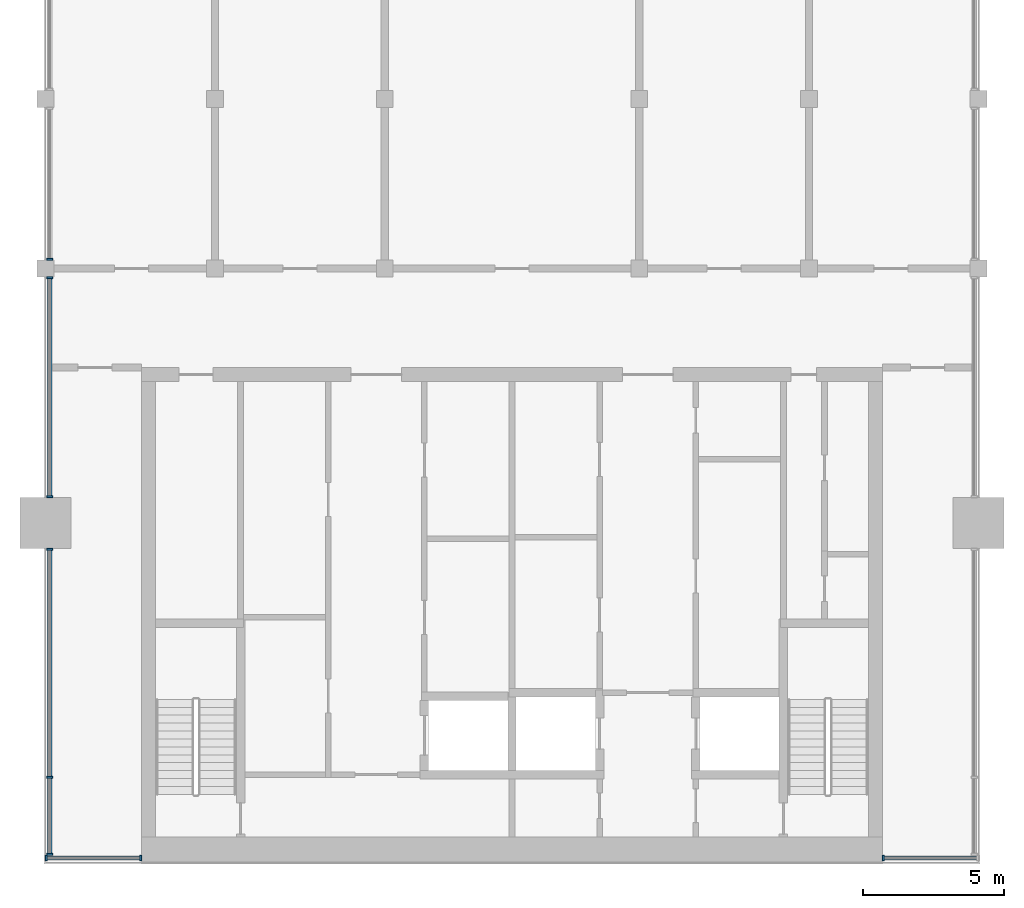
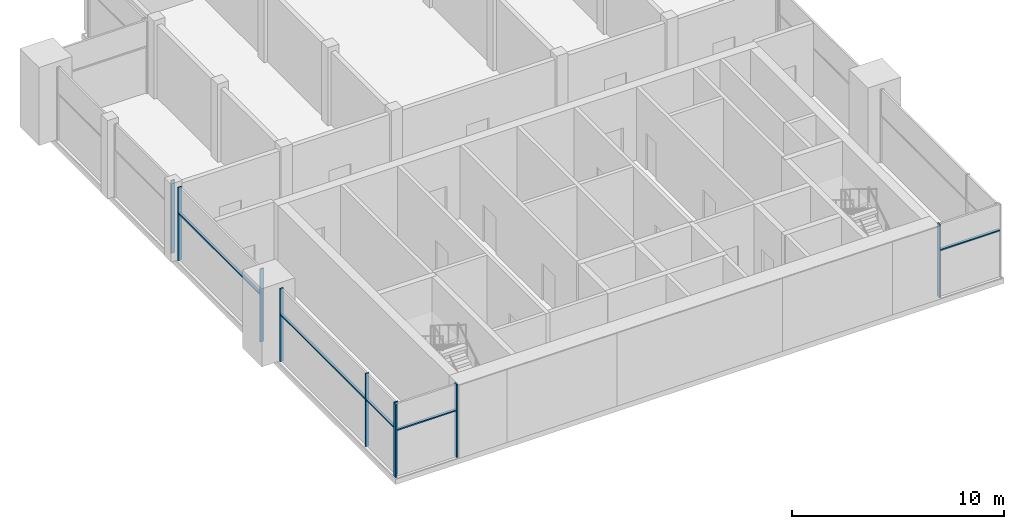
# One storey, part 2 of 9: 14 members, 5 elements without a shape of their own.
"""IFC4 building model written with IfcOpenShell, lengths in metres."""

from ifc_helpers import new_model, si_unit, direction, frame, origin, origin_2d, place, context, subcontext, project, spatial, rectangle, extrude, material, material_profile, profile_set, type_object, element, aggregate, save


model = new_model("IFC4")

# Units and contexts
model_context = context("Model", 3, precision=1e-05, world=origin(), true_north=direction((0.0, 1.0)))
body_context = subcontext(model_context, "Body", "Model", "MODEL_VIEW")
ifc_project = project(units=[si_unit("LENGTHUNIT", "METRE"), si_unit("AREAUNIT", "SQUARE_METRE"), si_unit("VOLUMEUNIT", "CUBIC_METRE"), si_unit("PLANEANGLEUNIT", "RADIAN"), si_unit("MASSUNIT", "GRAM", prefix="KILO")], contexts=[model_context])

# Site, building, storey
site_placement = place(None, origin())
site = spatial("IfcSite", under=ifc_project, at=site_placement, CompositionType="ELEMENT")
building_placement = place(site_placement, origin())
building = spatial("IfcBuilding", under=site, at=building_placement, Name="Finial Court Residences", CompositionType="ELEMENT")
storey_placement = place(building_placement, frame((0.0, 0.0, 303.199951171875)))
storey = spatial("IfcBuildingStorey", under=building, at=storey_placement, Name="L77", CompositionType="ELEMENT", Elevation=303.199951171875)

# Curtain wall, members
ifc_material = material(Name="Bronze anodised aluminium", Category="aluminium")
curtain_wall_type = type_object("IfcCurtainWallType", Name="Crown lantern glazing", PredefinedType="NOTDEFINED", material=ifc_material)
curtain_wall_1_placement = place(storey_placement, origin())
curtain_wall_1 = element("IfcCurtainWall", 1, at=curtain_wall_1_placement, inside=storey, type_object=curtain_wall_type, Name="E-L77-CW-S3", PredefinedType="NOTDEFINED")
ifc_material_profile_1 = material_profile(ifc_material, rectangle(XDim=0.199951171875, YDim=0.070068359375, at=origin_2d()), Name="CW6 mullion 70 x 200")
ifc_profile_set_1 = profile_set([ifc_material_profile_1], Name="Bronze anodised aluminium")
member_type_1 = type_object("IfcMemberType", Name="CW6 mullion 70 x 200", PredefinedType="MULLION", material=ifc_profile_set_1)
member_1_placement = place(storey_placement, frame((-16.465087890625, -25.35009765625, 0.0), z_axis=(0.0, 0.0, 1.0), x_axis=(0.0, 1.0, 0.0)))
member_1 = element("IfcMember", 2, at=member_1_placement, type_object=member_type_1, Name="CW6 mullion 1", PredefinedType="MULLION", context=body_context, shape_type="SweptSolid", body=[
    extrude(rectangle(XDim=0.199951171875, YDim=0.070068359375, at=origin_2d()), origin(), (0.0, 0.0, 1.0), 4.199951171875),
])
member_2_placement = place(storey_placement, frame((-13.135009765625, -25.35009765625, 0.0), z_axis=(0.0, 0.0, 1.0), x_axis=(0.0, 1.0, 0.0)))
member_2 = element("IfcMember", 3, at=member_2_placement, type_object=member_type_1, Name="CW6 mullion 2", PredefinedType="MULLION", context=body_context, shape_type="SweptSolid", body=[
    extrude(rectangle(XDim=0.199951171875, YDim=0.070068359375, at=origin_2d()), origin(), (0.0, 0.0, 1.0), 4.199951171875),
])

# Curtain wall, member
curtain_wall_2_placement = place(storey_placement, origin())
curtain_wall_2 = element("IfcCurtainWall", 4, at=curtain_wall_2_placement, inside=storey, type_object=curtain_wall_type, Name="E-L77-CW-S4", PredefinedType="NOTDEFINED")
member_3_placement = place(storey_placement, frame((13.135009765625, -25.35009765625, 0.0), z_axis=(0.0, 0.0, 1.0), x_axis=(0.0, 1.0, 0.0)))
member_3 = element("IfcMember", 5, at=member_3_placement, type_object=member_type_1, Name="CW6 mullion 1", PredefinedType="MULLION", context=body_context, shape_type="SweptSolid", body=[
    extrude(rectangle(XDim=0.199951171875, YDim=0.070068359375, at=origin_2d()), origin(), (0.0, 0.0, 1.0), 4.199951171875),
])

# Curtain wall, members
curtain_wall_3_placement = place(storey_placement, origin())
curtain_wall_3 = element("IfcCurtainWall", 6, at=curtain_wall_3_placement, inside=storey, type_object=curtain_wall_type, Name="E-L77-CW-W5c1", PredefinedType="NOTDEFINED")
member_4_placement = place(storey_placement, frame((-16.35009765625, -25.215087890625, 0.0), z_axis=(0.0, 0.0, 1.0), x_axis=(-1.0, 0.0, 0.0)))
member_4 = element("IfcMember", 7, at=member_4_placement, type_object=member_type_1, Name="CW6 mullion 1", PredefinedType="MULLION", context=body_context, shape_type="SweptSolid", body=[
    extrude(rectangle(XDim=0.199951171875, YDim=0.070068359375, at=origin_2d()), origin(), (0.0, 0.0, 1.0), 4.199951171875),
])
member_5_placement = place(storey_placement, frame((-16.35009765625, -22.5, 0.0), z_axis=(0.0, 0.0, 1.0), x_axis=(-1.0, 0.0, 0.0)))
member_5 = element("IfcMember", 8, at=member_5_placement, type_object=member_type_1, Name="CW6 mullion 2", PredefinedType="MULLION", context=body_context, shape_type="SweptSolid", body=[
    extrude(rectangle(XDim=0.199951171875, YDim=0.070068359375, at=origin_2d()), origin(), (0.0, 0.0, 1.0), 4.199951171875),
])
member_6_placement = place(storey_placement, frame((-16.35009765625, -14.43505859375, 0.0), z_axis=(0.0, 0.0, 1.0), x_axis=(-1.0, 0.0, 0.0)))
member_6 = element("IfcMember", 9, at=member_6_placement, type_object=member_type_1, Name="CW6 mullion 3", PredefinedType="MULLION", context=body_context, shape_type="SweptSolid", body=[
    extrude(rectangle(XDim=0.199951171875, YDim=0.070068359375, at=origin_2d()), origin(), (0.0, 0.0, 1.0), 4.199951171875),
])

curtain_wall_4_placement = place(storey_placement, origin())
curtain_wall_4 = element("IfcCurtainWall", 10, at=curtain_wall_4_placement, inside=storey, type_object=curtain_wall_type, Name="E-L77-CW-W5c2", PredefinedType="NOTDEFINED")
member_7_placement = place(storey_placement, frame((-16.35009765625, -12.56494140625, 0.0), z_axis=(0.0, 0.0, 1.0), x_axis=(-1.0, 0.0, 0.0)))
member_7 = element("IfcMember", 11, at=member_7_placement, type_object=member_type_1, Name="CW6 mullion 1", PredefinedType="MULLION", context=body_context, shape_type="SweptSolid", body=[
    extrude(rectangle(XDim=0.199951171875, YDim=0.070068359375, at=origin_2d()), origin(), (0.0, 0.0, 1.0), 4.199951171875),
])
member_8_placement = place(storey_placement, frame((-16.35009765625, -4.8349609375, 0.0), z_axis=(0.0, 0.0, 1.0), x_axis=(-1.0, 0.0, 0.0)))
member_8 = element("IfcMember", 12, at=member_8_placement, type_object=member_type_1, Name="CW6 mullion 2", PredefinedType="MULLION", context=body_context, shape_type="SweptSolid", body=[
    extrude(rectangle(XDim=0.199951171875, YDim=0.070068359375, at=origin_2d()), origin(), (0.0, 0.0, 1.0), 4.199951171875),
])

# Curtain wall, member
curtain_wall_5_placement = place(storey_placement, origin())
curtain_wall_5 = element("IfcCurtainWall", 13, at=curtain_wall_5_placement, inside=storey, type_object=curtain_wall_type, Name="E-L77-CW-W5c3", PredefinedType="NOTDEFINED")
member_9_placement = place(storey_placement, frame((-16.35009765625, -4.1650390625, 0.0), z_axis=(0.0, 0.0, 1.0), x_axis=(-1.0, 0.0, 0.0)))
member_9 = element("IfcMember", 14, at=member_9_placement, type_object=member_type_1, Name="CW6 mullion 1", PredefinedType="MULLION", context=body_context, shape_type="SweptSolid", body=[
    extrude(rectangle(XDim=0.199951171875, YDim=0.070068359375, at=origin_2d()), origin(), (0.0, 0.0, 1.0), 4.199951171875),
])
aggregate(curtain_wall_5, [member_9])

# Member
ifc_material_profile_2 = material_profile(ifc_material, rectangle(XDim=0.14990234375, YDim=0.070068359375, at=origin_2d()), Name="CW6 transom 70 x 150")
ifc_profile_set_2 = profile_set([ifc_material_profile_2], Name="Bronze anodised aluminium")
member_type_2 = type_object("IfcMemberType", Name="CW6 transom 70 x 150", PredefinedType="USERDEFINED", material=ifc_profile_set_2)
member_10_placement = place(storey_placement, frame((-16.429931640625, -25.35009765625, 2.699951171875), z_axis=(1.0, 0.0, 0.0), x_axis=(0.0, 1.0, 0.0)))
member_10 = element("IfcMember", 15, at=member_10_placement, type_object=member_type_2, Name="CW6 transom 1.1", ObjectType="TRANSOM", PredefinedType="USERDEFINED", context=body_context, shape_type="SweptSolid", body=[
    extrude(rectangle(XDim=0.14990234375, YDim=0.070068359375, at=origin_2d()), origin(), (0.0, 0.0, 1.0), 3.260009765625),
])

aggregate(curtain_wall_1, [member_1, member_2, member_10])

member_11_placement = place(storey_placement, frame((13.169921875, -25.35009765625, 2.699951171875), z_axis=(1.0, 0.0, 0.0), x_axis=(0.0, 1.0, 0.0)))
member_11 = element("IfcMember", 16, at=member_11_placement, type_object=member_type_2, Name="CW6 transom 1.1", ObjectType="TRANSOM", PredefinedType="USERDEFINED", context=body_context, shape_type="SweptSolid", body=[
    extrude(rectangle(XDim=0.14990234375, YDim=0.070068359375, at=origin_2d()), origin(), (0.0, 0.0, 1.0), 3.260009765625),
])

aggregate(curtain_wall_2, [member_3, member_11])

member_12_placement = place(storey_placement, frame((-16.35009765625, -25.179931640625, 2.699951171875), z_axis=(0.0, 1.0, 0.0), x_axis=(-1.0, 0.0, 0.0)))
member_12 = element("IfcMember", 17, at=member_12_placement, type_object=member_type_2, Name="CW6 transom 1.1", ObjectType="TRANSOM", PredefinedType="USERDEFINED", context=body_context, shape_type="SweptSolid", body=[
    extrude(rectangle(XDim=0.14990234375, YDim=0.070068359375, at=origin_2d()), origin(), (0.0, 0.0, 1.0), 2.64501953125),
])

member_13_placement = place(storey_placement, frame((-16.35009765625, -22.465087890625, 2.699951171875), z_axis=(0.0, 1.0, 0.0), x_axis=(-1.0, 0.0, 0.0)))
member_13 = element("IfcMember", 18, at=member_13_placement, type_object=member_type_2, Name="CW6 transom 2.1", ObjectType="TRANSOM", PredefinedType="USERDEFINED", context=body_context, shape_type="SweptSolid", body=[
    extrude(rectangle(XDim=0.14990234375, YDim=0.070068359375, at=origin_2d()), origin(), (0.0, 0.0, 1.0), 7.9951171875),
])

aggregate(curtain_wall_3, [member_4, member_5, member_6, member_12, member_13])

member_14_placement = place(storey_placement, frame((-16.35009765625, -12.530029296875, 2.699951171875), z_axis=(0.0, 1.0, 0.0), x_axis=(-1.0, 0.0, 0.0)))
member_14 = element("IfcMember", 19, at=member_14_placement, type_object=member_type_2, Name="CW6 transom 1.1", ObjectType="TRANSOM", PredefinedType="USERDEFINED", context=body_context, shape_type="SweptSolid", body=[
    extrude(rectangle(XDim=0.14990234375, YDim=0.070068359375, at=origin_2d()), origin(), (0.0, 0.0, 1.0), 7.659912109375),
])

aggregate(curtain_wall_4, [member_7, member_8, member_14])

save(model, "model.ifc")
